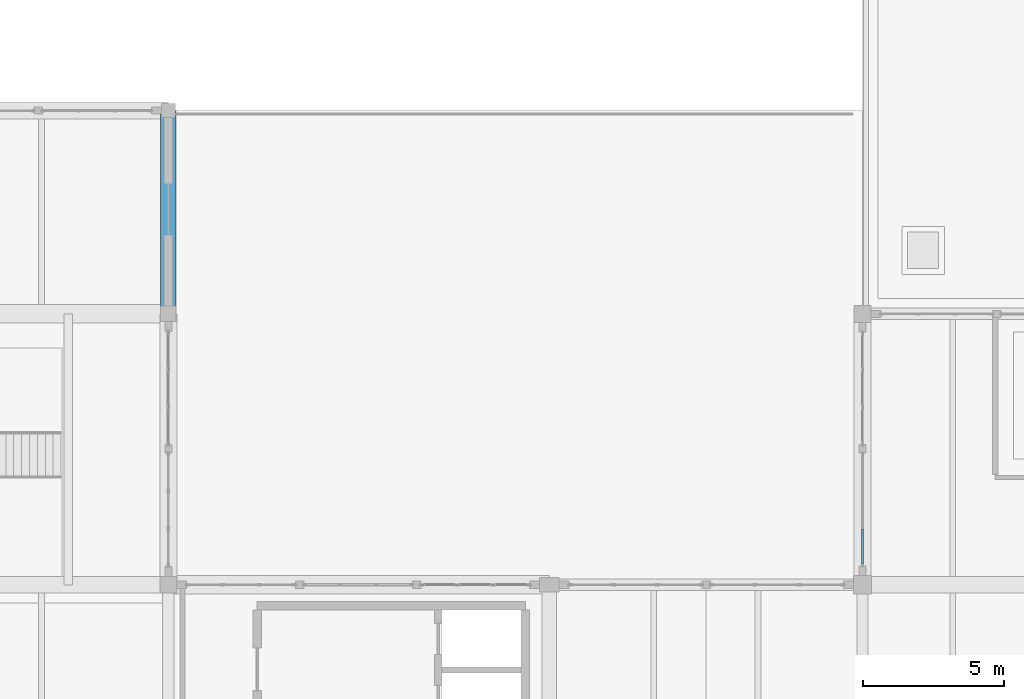
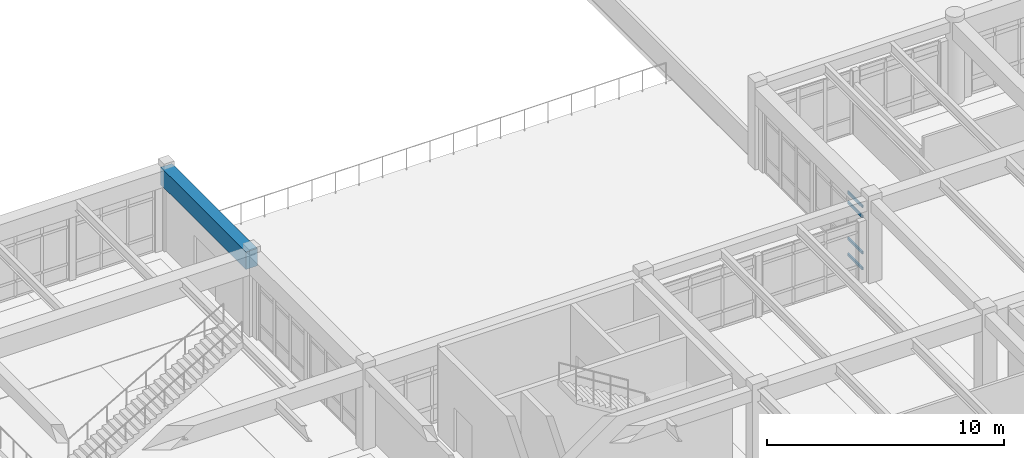
# One storey, part 35 of 109: 4 members, 1 beam, 1 element without a shape of its own.
"""IFC4 building model written with IfcOpenShell, lengths in metres."""

from ifc_helpers import new_model, si_unit, direction, frame, origin, origin_2d, place, context, subcontext, project, spatial, rectangle, hollow_rectangle, extrude, material, layer, layer_set, material_profile, profile_set, type_object, element, aggregate, save


model = new_model("IFC4")

# Units and contexts
model_context = context("Model", 3, precision=1e-05, world=origin(), true_north=direction((0.0, 1.0)))
body_context = subcontext(model_context, "Body", "Model", "MODEL_VIEW")
ifc_project = project(units=[si_unit("LENGTHUNIT", "METRE"), si_unit("AREAUNIT", "SQUARE_METRE"), si_unit("VOLUMEUNIT", "CUBIC_METRE"), si_unit("PLANEANGLEUNIT", "RADIAN"), si_unit("MASSUNIT", "GRAM", prefix="KILO")], contexts=[model_context])

# Site, building, storey
site_placement = place(None, origin())
site = spatial("IfcSite", under=ifc_project, at=site_placement, CompositionType="ELEMENT")
building_placement = place(site_placement, origin())
building = spatial("IfcBuilding", under=site, at=building_placement, Name="Fikremerkos Civic Library", CompositionType="ELEMENT")
storey_placement = place(building_placement, frame((0.0, 0.0, 5.39990234375)))
storey = spatial("IfcBuildingStorey", under=building, at=storey_placement, Name="L01", CompositionType="ELEMENT", Elevation=5.39990234375)

# Curtain wall, members
ifc_material_1 = material(Name="Anodized aluminium Frame", Category="aluminium")
ifc_layer = layer(ifc_material_1, 0.159912109375, Name="Anodized aluminium Frame")
ifc_layer_set = layer_set([ifc_layer], Name="Anodized aluminium Frame")
curtain_wall_type = type_object("IfcCurtainWallType", Name="Unitised curtain wall CW-12 4300x3400", PredefinedType="USERDEFINED", material=ifc_layer_set)
curtain_wall_placement = place(storey_placement, origin())
curtain_wall = element("IfcCurtainWall", 1, at=curtain_wall_placement, inside=storey, type_object=curtain_wall_type, Name="Unitised curtain wall CW-12 L01 #102", ObjectType="UNITISED CURTAIN WALL", PredefinedType="USERDEFINED")
ifc_material_profile_1 = material_profile(ifc_material_1, hollow_rectangle(XDim=0.06494140625, YDim=0.135009765625, WallThickness=0.00439453125, at=origin_2d()), Name="ALU 135x65x4.5")
ifc_profile_set_1 = profile_set([ifc_material_profile_1], Name="Anodized aluminium Frame")
member_type = type_object("IfcMemberType", Name="Curtain transom CWT-02 ALU 135x65x4.5", PredefinedType="USERDEFINED", material=ifc_profile_set_1)
member_1_placement = place(storey_placement, frame((124.800048828125, 31.93310546875, 0.03271484375), z_axis=(0.0, 1.0, 0.0), x_axis=(-1.0, 0.0, 0.0)))
member_1 = element("IfcMember", 2, at=member_1_placement, type_object=member_type, Name="CW-12 transom 1.1", ObjectType="TRANSOM", PredefinedType="USERDEFINED", context=body_context, shape_type="SweptSolid", body=[
    extrude(hollow_rectangle(XDim=0.06494140625, YDim=0.135009765625, WallThickness=0.00439453125, at=origin_2d()), origin(), (0.0, 0.0, 1.0), 1.23974609375),
])
member_2_placement = place(storey_placement, frame((124.800048828125, 31.93310546875, 0.85009765625), z_axis=(0.0, 1.0, 0.0), x_axis=(-1.0, 0.0, 0.0)))
member_2 = element("IfcMember", 3, at=member_2_placement, type_object=member_type, Name="CW-12 transom 1.2", ObjectType="TRANSOM", PredefinedType="USERDEFINED", context=body_context, shape_type="SweptSolid", body=[
    extrude(hollow_rectangle(XDim=0.06494140625, YDim=0.135009765625, WallThickness=0.00439453125, at=origin_2d()), origin(), (0.0, 0.0, 1.0), 1.23974609375),
])
member_3_placement = place(storey_placement, frame((124.800048828125, 31.93310546875, 2.710205078125), z_axis=(0.0, 1.0, 0.0), x_axis=(-1.0, 0.0, 0.0)))
member_3 = element("IfcMember", 4, at=member_3_placement, type_object=member_type, Name="CW-12 transom 1.3", ObjectType="TRANSOM", PredefinedType="USERDEFINED", context=body_context, shape_type="SweptSolid", body=[
    extrude(hollow_rectangle(XDim=0.06494140625, YDim=0.135009765625, WallThickness=0.00439453125, at=origin_2d()), origin(), (0.0, 0.0, 1.0), 1.23974609375),
])
member_4_placement = place(storey_placement, frame((124.800048828125, 31.93310546875, 3.2275390625), z_axis=(0.0, 1.0, 0.0), x_axis=(-1.0, 0.0, 0.0)))
member_4 = element("IfcMember", 5, at=member_4_placement, type_object=member_type, Name="CW-12 transom 1.4", ObjectType="TRANSOM", PredefinedType="USERDEFINED", context=body_context, shape_type="SweptSolid", body=[
    extrude(hollow_rectangle(XDim=0.06494140625, YDim=0.135009765625, WallThickness=0.00439453125, at=origin_2d()), origin(), (0.0, 0.0, 1.0), 1.23974609375),
])
aggregate(curtain_wall, [member_1, member_2, member_3, member_4])

# Beam
ifc_material_2 = material(Name="Concrete C40/50", Category="concrete")
ifc_material_profile_2 = material_profile(ifc_material_2, rectangle(XDim=0.550048828125, YDim=0.89990234375, at=origin_2d()), Name="RC 550x900")
ifc_profile_set_2 = profile_set([ifc_material_profile_2], Name="Concrete C40/50")
beam_type = type_object("IfcBeamType", Name="Primary girder BM-02 RC 550x900", PredefinedType="BEAM", material=ifc_profile_set_2)
beam_placement = place(storey_placement, frame((100.199951171875, 40.800048828125, 3.77001953125), z_axis=(0.0, 1.0, 0.0), x_axis=(-1.0, 0.0, 0.0)))
element("IfcBeam", 6, at=beam_placement, inside=storey, type_object=beam_type, Name="Primary girder BM-02 L01 grid 9", PredefinedType="BEAM", context=body_context, shape_type="SweptSolid", body=[
    extrude(rectangle(XDim=0.550048828125, YDim=0.89990234375, at=origin_2d()), origin(), (0.0, 0.0, 1.0), 7.199951171875),
])

save(model, "model.ifc")
